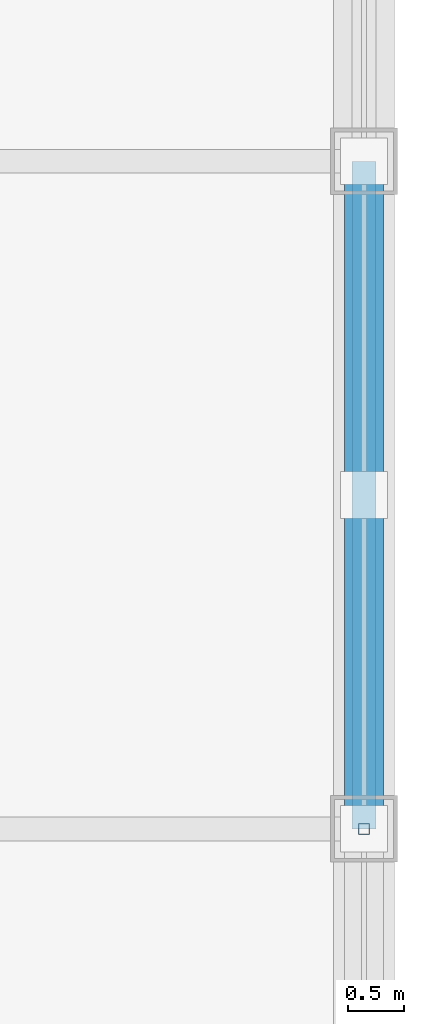
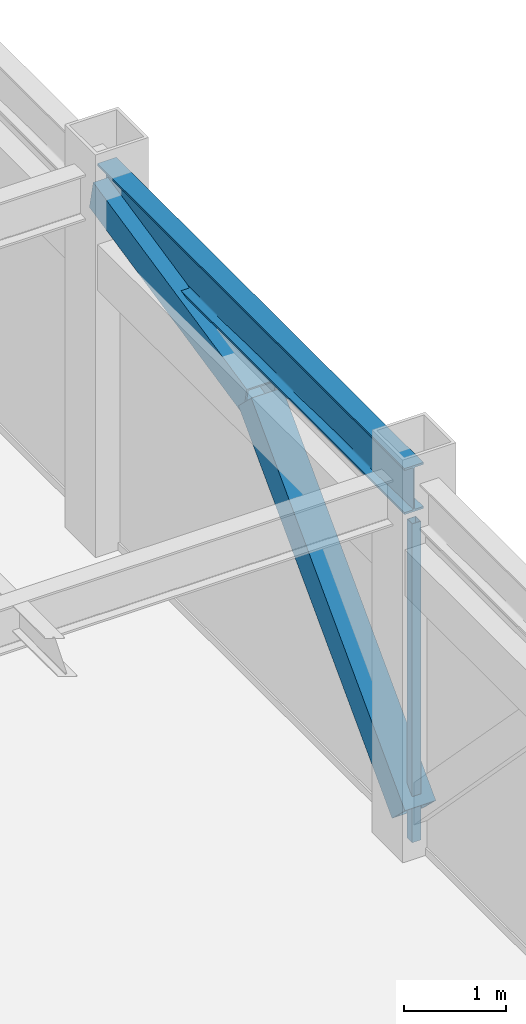
# One storey, part 12 of 32: 3 members, 1 beam, 1 element without a shape of its own.
"""IFC4 building model written with IfcOpenShell, lengths in metres."""

from ifc_helpers import new_model, si_unit, direction, frame, origin, origin_2d, place, context, subcontext, project, spatial, hollow_rectangle, i_section, extrude, source, transform, mapped, material, material_profile, profile_set, type_object, element, aggregate, save


model = new_model("IFC4")

# Units and contexts
model_context = context("Model", 3, precision=1e-05, world=origin(), true_north=direction((0.0, 1.0)))
body_context = subcontext(model_context, "Body", "Model", "MODEL_VIEW")
ifc_project = project(units=[si_unit("LENGTHUNIT", "METRE"), si_unit("AREAUNIT", "SQUARE_METRE"), si_unit("VOLUMEUNIT", "CUBIC_METRE"), si_unit("PLANEANGLEUNIT", "RADIAN"), si_unit("MASSUNIT", "GRAM", prefix="KILO")], contexts=[model_context])

# Site, building, storey
site_placement = place(None, origin())
site = spatial("IfcSite", under=ifc_project, at=site_placement, CompositionType="ELEMENT")
building_placement = place(site_placement, origin())
building = spatial("IfcBuilding", under=site, at=building_placement, Name="Khorayat Bourse Tower", CompositionType="ELEMENT")
storey_placement = place(building_placement, frame((0.0, 0.0, 375.5)))
storey = spatial("IfcBuildingStorey", under=building, at=storey_placement, Name="L89", CompositionType="ELEMENT", Elevation=375.5)

# Beam
ifc_material_1 = material(Name="Steel ASTM A992 Grade 50", Category="steel")
ifc_material_profile_1 = material_profile(ifc_material_1, i_section(OverallWidth=0.214111328125, OverallDepth=0.549072265625, WebThickness=0.0146484375, FlangeThickness=0.023681640625, FilletRadius=0.013916015625, at=origin_2d()), Name="W530X138")
ifc_profile_set_1 = profile_set([ifc_material_profile_1], Name="Steel ASTM A992 Grade 50")
beam_type = type_object("IfcBeamType", Name="BM-SPAN-530", PredefinedType="SPANDREL", material=ifc_profile_set_1)
shared_shape_1 = source(origin(), body_context, "Body", "SweptSolid", [
    extrude(i_section(OverallWidth=0.214111328125, OverallDepth=0.549072265625, WebThickness=0.0146484375, FlangeThickness=0.023681640625, FilletRadius=0.013916015625, at=origin_2d()), origin(), (0.0, 0.0, 1.0), 6.0),
])
beam_placement = place(storey_placement, frame((24.0, 0.0, 4.175537109375), z_axis=(0.0, 1.0, 0.0), x_axis=(-1.0, 0.0, 0.0)))
element("IfcBeam", 1, at=beam_placement, inside=storey, type_object=beam_type, Name="L89 BM-SPAN-530 BM-L89-SPN-035", PredefinedType="SPANDREL", context=body_context, shape_type="MappedRepresentation", body=[
    mapped(shared_shape_1, transform((0.0, 0.0, 0.0), scale=1.0)),
])

# Members
ifc_material_2 = material(Name="Steel EN 10025-2 S355J2", Category="steel")
ifc_material_profile_2 = material_profile(ifc_material_2, hollow_rectangle(XDim=0.35009765625, YDim=0.35009765625, WallThickness=0.02001953125, at=origin_2d()), Name="HSS 350x350x20")
ifc_profile_set_2 = profile_set([ifc_material_profile_2], Name="Steel EN 10025-2 S355J2")
member_type_1 = type_object("IfcMemberType", Name="MBR-CROWN-350", PredefinedType="USERDEFINED", material=ifc_profile_set_2)
shared_shape_2 = source(origin(), body_context, "Body", "SweptSolid", [
    extrude(hollow_rectangle(XDim=0.35009765625, YDim=0.35009765625, WallThickness=0.02001953125, at=origin_2d()), origin(), (0.0, 0.0, 1.0), 3.069580078125),
])
member_1_placement = place(storey_placement, frame((24.0, 3.0, 3.449951171875), z_axis=(0.0, 0.977313263163, 0.211798927393), x_axis=(-1.0, 0.0, 0.0)))
element("IfcMember", 2, at=member_1_placement, inside=storey, type_object=member_type_1, Name="L89 Lantern Crown Frame Member 26", ObjectType="CROWN FRAME", PredefinedType="USERDEFINED", context=body_context, shape_type="MappedRepresentation", body=[
    mapped(shared_shape_2, transform((0.0, 0.0, 0.0), scale=1.0)),
])
shared_shape_3 = source(origin(), body_context, "Body", "SweptSolid", [
    extrude(hollow_rectangle(XDim=0.35009765625, YDim=0.35009765625, WallThickness=0.02001953125, at=origin_2d()), origin(), (0.0, 0.0, 1.0), 4.313720703125),
])
member_2_placement = place(storey_placement, frame((24.0, 0.0, 0.35009765625), z_axis=(0.0, 0.695438396675, 0.718585719612), x_axis=(-1.0, 0.0, 0.0)))
element("IfcMember", 3, at=member_2_placement, inside=storey, type_object=member_type_1, Name="L89 Lantern Crown Frame Member 25", ObjectType="CROWN FRAME", PredefinedType="USERDEFINED", context=body_context, shape_type="MappedRepresentation", body=[
    mapped(shared_shape_3, transform((0.0, 0.0, 0.0), scale=1.0)),
])

# Curtain wall, member
ifc_material_3 = material(Name="Aluminium EN AW-6063 T6", Category="aluminium")
curtain_wall_type = type_object("IfcCurtainWallType", Name="CW-SYS-07", PredefinedType="NOTDEFINED", material=ifc_material_3)
curtain_wall_placement = place(storey_placement, origin())
curtain_wall = element("IfcCurtainWall", 4, at=curtain_wall_placement, inside=storey, type_object=curtain_wall_type, Name="L89 Curtain Wall CW-L89-E1", PredefinedType="NOTDEFINED")
ifc_material_profile_3 = material_profile(ifc_material_3, hollow_rectangle(XDim=0.10009765625, YDim=0.10009765625, WallThickness=0.0048828125, at=origin_2d()), Name="ALU 100x100x5")
ifc_profile_set_3 = profile_set([ifc_material_profile_3], Name="Aluminium EN AW-6063 T6")
member_type_2 = type_object("IfcMemberType", Name="CWM-LANTERN-100", PredefinedType="MULLION", material=ifc_profile_set_3)
shared_shape_4 = source(origin(), body_context, "Body", "SweptSolid", [
    extrude(hollow_rectangle(XDim=0.10009765625, YDim=0.10009765625, WallThickness=0.0048828125, at=origin_2d()), origin(), (0.0, 0.0, 1.0), 3.800048828125),
])
member_3_placement = place(storey_placement, frame((24.0, 0.0, 0.0), z_axis=(0.0, 0.0, 1.0), x_axis=(-1.0, 0.0, 0.0)))
member_3 = element("IfcMember", 5, at=member_3_placement, type_object=member_type_2, Name="CW-L89-E1 Vertical Mullion 2", PredefinedType="MULLION", context=body_context, shape_type="MappedRepresentation", body=[
    mapped(shared_shape_4, transform((0.0, 0.0, 0.0), scale=1.0)),
])
aggregate(curtain_wall, [member_3])

save(model, "model.ifc")
